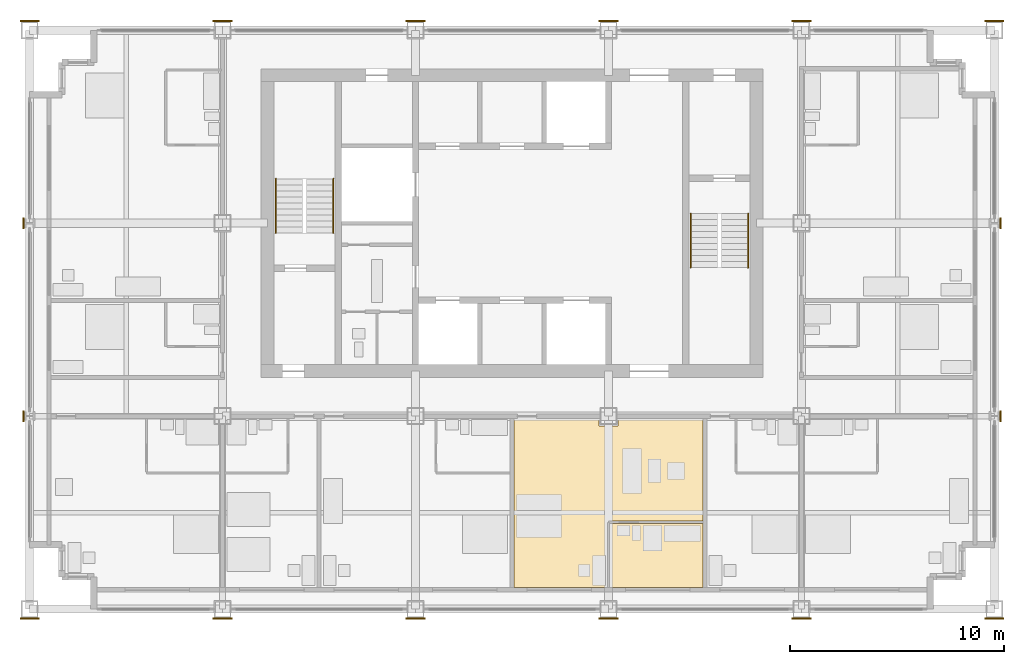
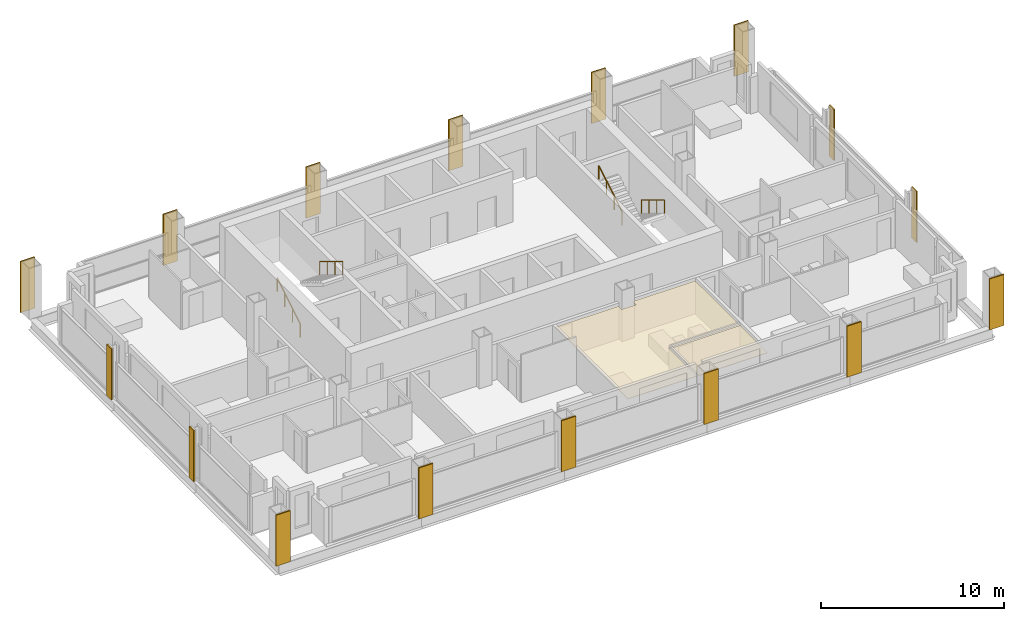
# One storey, part 11 of 13: 18 coverings, 4 railings.
"""IFC4 building model written with IfcOpenShell, lengths in metres."""

from ifc_helpers import new_model, si_unit, direction, frame, origin, origin_2d, place, context, subcontext, project, spatial, polyline, rectangle, circle, outline, extrude, material, layer, layer_set, type_object, element, save


model = new_model("IFC4")

# Units and contexts
model_context = context("Model", 3, precision=1e-05, world=origin(), true_north=direction((0.0, 1.0)))
body_context = subcontext(model_context, "Body", "Model", "MODEL_VIEW")
ifc_project = project(units=[si_unit("LENGTHUNIT", "METRE"), si_unit("AREAUNIT", "SQUARE_METRE"), si_unit("VOLUMEUNIT", "CUBIC_METRE"), si_unit("PLANEANGLEUNIT", "RADIAN"), si_unit("MASSUNIT", "GRAM", prefix="KILO")], contexts=[model_context])

# Site, building, storey
site_placement = place(None, origin())
site = spatial("IfcSite", under=ifc_project, at=site_placement, CompositionType="ELEMENT")
building_placement = place(site_placement, origin())
building = spatial("IfcBuilding", under=site, at=building_placement, Name="Loomwork Tower", CompositionType="ELEMENT")
storey_placement = place(building_placement, frame((0.0, 0.0, 204.60009765625)))
storey = spatial("IfcBuildingStorey", under=building, at=storey_placement, Name="L56", CompositionType="ELEMENT", Elevation=204.60009765625)

# Railings
ifc_material_1 = material(Name="Stainless steel handrail", Category="steel")
railing_type = type_object("IfcRailingType", Name="Handrail 900", PredefinedType="HANDRAIL", material=ifc_material_1)
railing_1_placement = place(storey_placement, frame((11.485107421875, 17.550048828125, 0.169921875)))
element("IfcRailing", 1, at=railing_1_placement, inside=storey, type_object=railing_type, Name="Stair A handrail flight 1 L56", PredefinedType="HANDRAIL", context=body_context, shape_type="SweptSolid", body=[
    extrude(circle(Radius=0.02392578125, at=origin_2d()), frame((0.0, 0.0, 0.8759765625), z_axis=(0.0, 0.85478489116, 0.518982456201), x_axis=(-1.0, 0.0, 0.0)), (0.0, 0.0, 1.0), 2.9482421875),
    extrude(circle(Radius=0.02099609375, at=origin_2d()), origin(), (0.0, 0.0, 1.0), 0.851806640625),
    extrude(circle(Radius=0.02099609375, at=origin_2d()), frame((0.0, 0.840087890625, 0.510009765625)), (0.0, 0.0, 1.0), 0.851806640625),
    extrude(circle(Radius=0.02099609375, at=origin_2d()), frame((0.0, 1.679931640625, 1.02001953125)), (0.0, 0.0, 1.0), 0.851806640625),
    extrude(circle(Radius=0.02099609375, at=origin_2d()), frame((0.0, 2.52001953125, 1.530029296875)), (0.0, 0.0, 1.0), 0.851806640625),
])
for number, where, name in (
    (2, (14.1650390625, 20.070068359375, 1.869873046875), "Stair A handrail flight 2 L56"),
    (3, (33.514892578125, 18.449951171875, 0.169921875), "Stair B handrail flight 1 L56"),
):
    element("IfcRailing", number, at=place(storey_placement, frame(where)), inside=storey, type_object=railing_type, Name=name, PredefinedType="HANDRAIL", context=body_context, shape_type="SweptSolid", body=[
        extrude(circle(Radius=0.02392578125, at=origin_2d()), frame((0.0, 0.0, 0.8759765625), z_axis=(0.0, -0.85478489116, 0.518982456201), x_axis=(1.0, 0.0, 0.0)), (0.0, 0.0, 1.0), 2.9482421875),
        extrude(circle(Radius=0.02099609375, at=origin_2d()), origin(), (0.0, 0.0, 1.0), 0.851806640625),
        extrude(circle(Radius=0.02099609375, at=origin_2d()), frame((0.0, -0.840087890625, 0.510009765625)), (0.0, 0.0, 1.0), 0.851806640625),
        extrude(circle(Radius=0.02099609375, at=origin_2d()), frame((0.0, -1.679931640625, 1.02001953125)), (0.0, 0.0, 1.0), 0.851806640625),
        extrude(circle(Radius=0.02099609375, at=origin_2d()), frame((0.0, -2.52001953125, 1.530029296875)), (0.0, 0.0, 1.0), 0.851806640625),
    ])
railing_2_placement = place(storey_placement, frame((30.8349609375, 15.929931640625, 1.869873046875)))
element("IfcRailing", 4, at=railing_2_placement, inside=storey, type_object=railing_type, Name="Stair B handrail flight 2 L56", PredefinedType="HANDRAIL", context=body_context, shape_type="SweptSolid", body=[
    extrude(circle(Radius=0.02392578125, at=origin_2d()), frame((0.0, 0.0, 0.8759765625), z_axis=(0.0, 0.85478489116, 0.518982456201), x_axis=(-1.0, 0.0, 0.0)), (0.0, 0.0, 1.0), 2.9482421875),
    extrude(circle(Radius=0.02099609375, at=origin_2d()), origin(), (0.0, 0.0, 1.0), 0.851806640625),
    extrude(circle(Radius=0.02099609375, at=origin_2d()), frame((0.0, 0.840087890625, 0.510009765625)), (0.0, 0.0, 1.0), 0.851806640625),
    extrude(circle(Radius=0.02099609375, at=origin_2d()), frame((0.0, 1.679931640625, 1.02001953125)), (0.0, 0.0, 1.0), 0.851806640625),
    extrude(circle(Radius=0.02099609375, at=origin_2d()), frame((0.0, 2.52001953125, 1.530029296875)), (0.0, 0.0, 1.0), 0.851806640625),
])

# Coverings
ifc_material_2 = material(Name="Limestone", Category="masonry")
ifc_layer_1 = layer(ifc_material_2, 0.080078125)
ifc_layer_set_1 = layer_set([ifc_layer_1], Name="Limestone pier facing 80")
covering_type_1 = type_object("IfcCoveringType", Name="Limestone pier facing 80", PredefinedType="CLADDING", material=ifc_layer_set_1)
covering_1_placement = place(storey_placement, frame((0.0, -0.43994140625, 0.0), z_axis=(0.0, 0.0, 1.0), x_axis=(1.0, 0.0, 0.0)))
element("IfcCovering", 5, at=covering_1_placement, inside=storey, type_object=covering_type_1, Name="Pier facing D/2 L56", PredefinedType="CLADDING", context=body_context, shape_type="SweptSolid", body=[
    extrude(rectangle(XDim=0.89990234375, YDim=0.080078125, at=origin_2d()), origin(), (0.0, 0.0, 1.0), 3.39990234375),
])
for number, where, z_axis, x_axis, name in (
    (6, (-0.28125, 9.0, 0.0), (0.0, 0.0, 1.0), (1.0, 0.0, 0.0), "Pier facing E/2 L56"),
    (7, (-0.28125, 18.0, 0.0), (0.0, 0.0, 1.0), (1.0, 0.0, 0.0), "Pier facing F/2 L56"),
):
    element("IfcCovering", number, at=place(storey_placement, frame(where, z_axis=z_axis, x_axis=x_axis)), inside=storey, type_object=covering_type_1, Name=name, PredefinedType="CLADDING", context=body_context, shape_type="SweptSolid", body=[
        extrude(rectangle(XDim=0.080078125, YDim=0.526611328125, at=origin_2d()), origin(), (0.0, 0.0, 1.0), 3.39990234375),
    ])
for number, where, z_axis, x_axis, name in (
    (8, (0.0, 27.43994140625, 0.0), (0.0, 0.0, 1.0), (1.0, 0.0, 0.0), "Pier facing G/2 L56"),
    (9, (9.0, -0.43994140625, 0.0), (0.0, 0.0, 1.0), (1.0, 0.0, 0.0), "Pier facing D/3 L56"),
    (10, (9.0, 27.43994140625, 0.0), (0.0, 0.0, 1.0), (1.0, 0.0, 0.0), "Pier facing G/3 L56"),
    (11, (18.0, -0.43994140625, 0.0), (0.0, 0.0, 1.0), (1.0, 0.0, 0.0), "Pier facing D/4 L56"),
    (12, (18.0, 27.43994140625, 0.0), (0.0, 0.0, 1.0), (1.0, 0.0, 0.0), "Pier facing G/4 L56"),
    (13, (27.0, -0.43994140625, 0.0), (0.0, 0.0, 1.0), (1.0, 0.0, 0.0), "Pier facing D/5 L56"),
    (14, (27.0, 27.43994140625, 0.0), (0.0, 0.0, 1.0), (1.0, 0.0, 0.0), "Pier facing G/5 L56"),
    (15, (36.0, -0.43994140625, 0.0), (0.0, 0.0, 1.0), (1.0, 0.0, 0.0), "Pier facing D/6 L56"),
    (16, (36.0, 27.43994140625, 0.0), (0.0, 0.0, 1.0), (1.0, 0.0, 0.0), "Pier facing G/6 L56"),
    (17, (45.0, -0.43994140625, 0.0), (0.0, 0.0, 1.0), (1.0, 0.0, 0.0), "Pier facing D/7 L56"),
):
    element("IfcCovering", number, at=place(storey_placement, frame(where, z_axis=z_axis, x_axis=x_axis)), inside=storey, type_object=covering_type_1, Name=name, PredefinedType="CLADDING", context=body_context, shape_type="SweptSolid", body=[
        extrude(rectangle(XDim=0.89990234375, YDim=0.080078125, at=origin_2d()), origin(), (0.0, 0.0, 1.0), 3.39990234375),
    ])
for number, where, z_axis, x_axis, name in (
    (18, (45.28125, 9.0, 0.0), (0.0, 0.0, 1.0), (1.0, 0.0, 0.0), "Pier facing E/7 L56"),
    (19, (45.28125, 18.0, 0.0), (0.0, 0.0, 1.0), (1.0, 0.0, 0.0), "Pier facing F/7 L56"),
):
    element("IfcCovering", number, at=place(storey_placement, frame(where, z_axis=z_axis, x_axis=x_axis)), inside=storey, type_object=covering_type_1, Name=name, PredefinedType="CLADDING", context=body_context, shape_type="SweptSolid", body=[
        extrude(rectangle(XDim=0.080078125, YDim=0.526611328125, at=origin_2d()), origin(), (0.0, 0.0, 1.0), 3.39990234375),
    ])
covering_2_placement = place(storey_placement, frame((45.0, 27.43994140625, 0.0), z_axis=(0.0, 0.0, 1.0), x_axis=(1.0, 0.0, 0.0)))
element("IfcCovering", 20, at=covering_2_placement, inside=storey, type_object=covering_type_1, Name="Pier facing G/7 L56", PredefinedType="CLADDING", context=body_context, shape_type="SweptSolid", body=[
    extrude(rectangle(XDim=0.89990234375, YDim=0.080078125, at=origin_2d()), origin(), (0.0, 0.0, 1.0), 3.39990234375),
])
ifc_material_3 = material(Name="Mineral fibre acoustic tile on suspension grid")
ifc_layer_2 = layer(ifc_material_3, 0.02490234375)
ifc_layer_set_2 = layer_set([ifc_layer_2], Name="Suspended acoustic ceiling")
covering_type_2 = type_object("IfcCoveringType", Name="Suspended acoustic ceiling", PredefinedType="CEILING", material=ifc_layer_set_2)
covering_3_placement = place(storey_placement, frame((0.0, 0.0, 2.1748046875)))
element("IfcCovering", 21, at=covering_3_placement, inside=storey, type_object=covering_type_2, Name="Ceiling Spa bathroom L56", PredefinedType="CEILING", context=body_context, shape_type="SweptSolid", body=[
    extrude(outline(polyline([(31.39990234375, 4.0), (31.39990234375, 1.0), (27.050048828125, 1.0), (27.050048828125, 4.0), (31.39990234375, 4.0)])), origin(), (0.0, 0.0, 1.0), 0.025146484375),
])
covering_4_placement = place(storey_placement, frame((0.0, 0.0, 2.1748046875)))
element("IfcCovering", 22, at=covering_4_placement, inside=storey, type_object=covering_type_2, Name="Ceiling Spa suite L56", PredefinedType="CEILING", context=body_context, shape_type="SweptSolid", body=[
    extrude(outline(polyline([(26.550048828125, 8.89990234375), (26.550048828125, 8.550048828125), (27.449951171875, 8.550048828125), (27.449951171875, 8.89990234375), (31.39990234375, 8.89990234375), (31.39990234375, 4.10009765625), (26.949951171875, 4.10009765625), (26.949951171875, 1.0), (22.60009765625, 1.0), (22.60009765625, 8.89990234375), (26.550048828125, 8.89990234375)])), origin(), (0.0, 0.0, 1.0), 0.025146484375),
])

save(model, "model.ifc")
